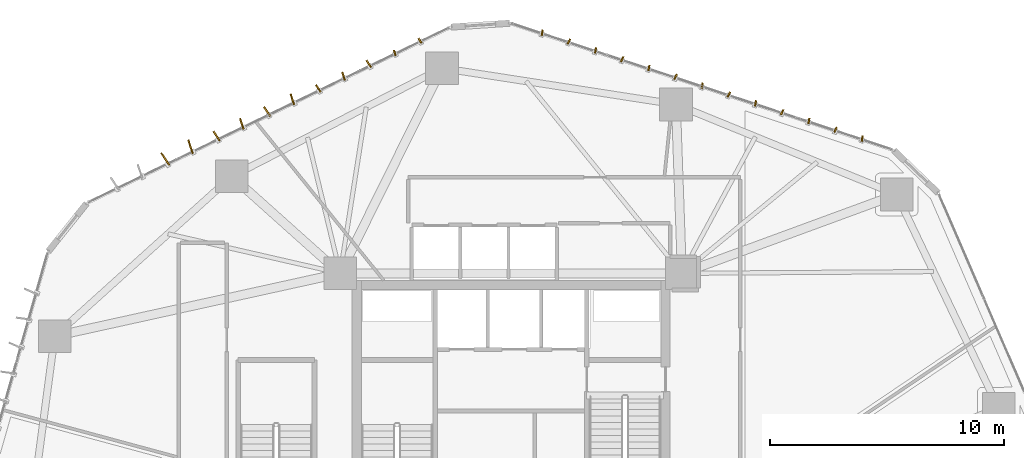
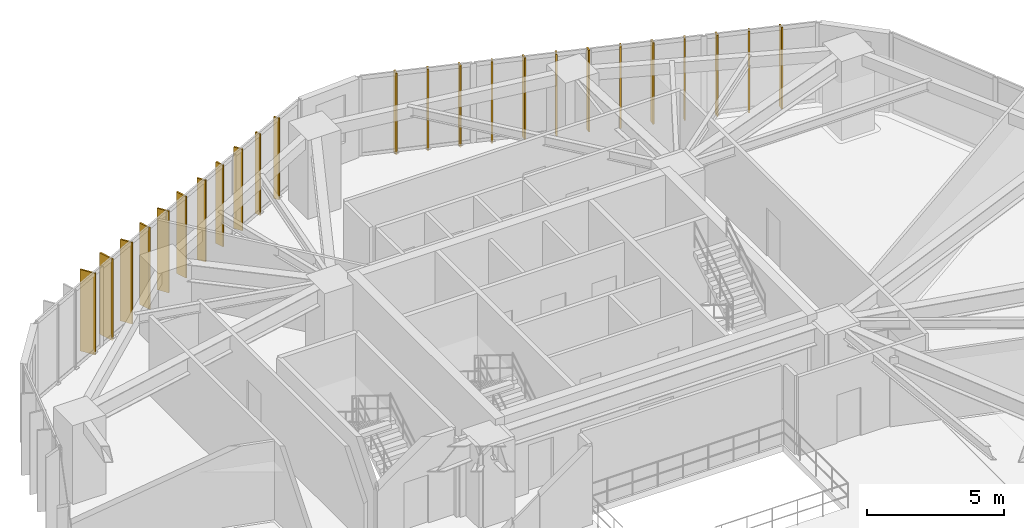
# One storey, part 23 of 23: 24 shading devices.
"""IFC4 building model written with IfcOpenShell, lengths in metres."""

from ifc_helpers import new_model, si_unit, direction, frame, origin, origin_2d, place, context, subcontext, project, spatial, rectangle, extrude, source, transform, mapped, material, layer, layer_set, type_object, type_shapes, element, save


model = new_model("IFC4")

# Units and contexts
model_context = context("Model", 3, precision=1e-05, world=origin(), true_north=direction((0.0, 1.0)))
body_context = subcontext(model_context, "Body", "Model", "MODEL_VIEW")
ifc_project = project(units=[si_unit("LENGTHUNIT", "METRE"), si_unit("AREAUNIT", "SQUARE_METRE"), si_unit("VOLUMEUNIT", "CUBIC_METRE"), si_unit("PLANEANGLEUNIT", "RADIAN"), si_unit("MASSUNIT", "GRAM", prefix="KILO")], contexts=[model_context])

# Site, building, storey
site_placement = place(None, origin())
site = spatial("IfcSite", under=ifc_project, at=site_placement, CompositionType="ELEMENT")
building_placement = place(site_placement, origin())
building = spatial("IfcBuilding", under=site, at=building_placement, Name="Talar Marvaseh", CompositionType="ELEMENT")
storey_placement = place(building_placement, frame((0.0, 0.0, 35.39990234375)))
storey = spatial("IfcBuildingStorey", under=building, at=storey_placement, Name="L08", CompositionType="ELEMENT", Elevation=35.39990234375)

# Shading devices
ifc_material = material(Name="Anodised Champagne Bronze Aluminium", Category="aluminium")
ifc_layer_1 = layer(ifc_material, 0.06494140625)
ifc_layer_set_1 = layer_set([ifc_layer_1], Name="Anodised Champagne Bronze Aluminium")
shading_device_type_1 = type_object("IfcShadingDeviceType", Name="Sawtooth Champagne Bronze Vertical Fin 240", PredefinedType="USERDEFINED", material=ifc_layer_set_1)
shared_shape_1 = source(origin(), body_context, "Body", "SweptSolid", [
    extrude(rectangle(XDim=0.239990234375, YDim=0.06494140625, at=origin_2d()), origin(), (0.0, 0.0, 1.0), 3.639892578125),
])
type_shapes(shading_device_type_1, [shared_shape_1])
for number, where, z_axis, x_axis, name in (
    (1, (21.02978515625, 46.316650390625, -0.11962890625), (0.0, 0.0, 1.0), (-0.306027642189, 0.952022626946, 0.0), "L08 Sawtooth Vertical Solar Fin"),
    (2, (22.10986328125, 46.83935546875, -0.11962890625), (0.0, 0.0, 1.0), (-0.556585649903, 0.83079023485, 0.0), "L08 Sawtooth Vertical Solar Fin"),
    (3, (27.33251953125, 47.181640625, -0.11962890625), (0.0, 0.0, 1.0), (0.179145644884, 0.983822564246, 0.0), "L08 Sawtooth Vertical Solar Fin"),
    (4, (28.4716796875, 46.8046875, -0.11962890625), (0.0, 0.0, 1.0), (0.443384096623, 0.896331714747, 0.0), "L08 Sawtooth Vertical Solar Fin"),
    (5, (29.61083984375, 46.427490234375, -0.11962890625), (0.0, 0.0, 1.0), (0.179145644884, 0.983822564246, 0.0), "L08 Sawtooth Vertical Solar Fin"),
    (6, (30.75, 46.05029296875, -0.11962890625), (0.0, 0.0, 1.0), (0.443384096623, 0.896331714747, 0.0), "L08 Sawtooth Vertical Solar Fin"),
    (7, (31.889404296875, 45.673095703125, -0.11962890625), (0.0, 0.0, 1.0), (0.179145644884, 0.983822564246, 0.0), "L08 Sawtooth Vertical Solar Fin"),
    (8, (33.028564453125, 45.2958984375, -0.11962890625), (0.0, 0.0, 1.0), (0.443384096623, 0.896331714747, 0.0), "L08 Sawtooth Vertical Solar Fin"),
    (9, (34.167724609375, 44.918701171875, -0.11962890625), (0.0, 0.0, 1.0), (0.179145644884, 0.983822564246, 0.0), "L08 Sawtooth Vertical Solar Fin"),
    (10, (35.306884765625, 44.541748046875, -0.11962890625), (0.0, 0.0, 1.0), (0.443384096623, 0.896331714747, 0.0), "L08 Sawtooth Vertical Solar Fin"),
    (11, (36.446044921875, 44.16455078125, -0.11962890625), (0.0, 0.0, 1.0), (0.179145644884, 0.983822564246, 0.0), "L08 Sawtooth Vertical Solar Fin"),
    (12, (37.585205078125, 43.787353515625, -0.11962890625), (0.0, 0.0, 1.0), (0.443384096623, 0.896331714747, 0.0), "L08 Sawtooth Vertical Solar Fin"),
    (13, (38.724609375, 43.41015625, -0.11962890625), (0.0, 0.0, 1.0), (0.179145644884, 0.983822564246, 0.0), "L08 Sawtooth Vertical Solar Fin"),
    (14, (39.86376953125, 43.033203125, -0.11962890625), (0.0, 0.0, 1.0), (0.443384096623, 0.896331714747, 0.0), "L08 Sawtooth Vertical Solar Fin"),
    (15, (41.0029296875, 42.656005859375, -0.11962890625), (0.0, 0.0, 1.0), (0.179145644884, 0.983822564246, 0.0), "L08 Sawtooth Vertical Solar Fin"),
):
    element("IfcShadingDevice", number, at=place(storey_placement, frame(where, z_axis=z_axis, x_axis=x_axis)), inside=storey, type_object=shading_device_type_1, Name=name, ObjectType="FIN", PredefinedType="USERDEFINED", context=body_context, shape_type="MappedRepresentation", body=[
        mapped(shared_shape_1, transform((0.0, 0.0, 0.0), x_axis=(1.0, 0.0, 0.0), y_axis=(0.0, 1.0, 0.0), z_axis=(0.0, 0.0, 1.0), scale=1.0)),
    ])
ifc_layer_2 = layer(ifc_material, 0.06494140625)
ifc_layer_set_2 = layer_set([ifc_layer_2], Name="Anodised Champagne Bronze Aluminium")
shading_device_type_2 = type_object("IfcShadingDeviceType", Name="Sawtooth Champagne Bronze Vertical Fin 360", PredefinedType="USERDEFINED", material=ifc_layer_set_2)
shared_shape_2 = source(origin(), body_context, "Body", "SweptSolid", [
    extrude(rectangle(XDim=0.360107421875, YDim=0.06494140625, at=origin_2d()), origin(), (0.0, 0.0, 1.0), 3.639892578125),
])
type_shapes(shading_device_type_2, [shared_shape_2])
for number, where, z_axis, x_axis, name in (
    (16, (17.762939453125, 44.802978515625, -0.11962890625), (0.0, 0.0, 1.0), (-0.556585649903, 0.83079023485, 0.0), "L08 Sawtooth Vertical Solar Fin"),
    (17, (18.843017578125, 45.325439453125, -0.11962890625), (0.0, 0.0, 1.0), (-0.306027642189, 0.952022626946, 0.0), "L08 Sawtooth Vertical Solar Fin"),
    (18, (19.92333984375, 45.84814453125, -0.11962890625), (0.0, 0.0, 1.0), (-0.556585649903, 0.83079023485, 0.0), "L08 Sawtooth Vertical Solar Fin"),
):
    element("IfcShadingDevice", number, at=place(storey_placement, frame(where, z_axis=z_axis, x_axis=x_axis)), inside=storey, type_object=shading_device_type_2, Name=name, ObjectType="FIN", PredefinedType="USERDEFINED", context=body_context, shape_type="MappedRepresentation", body=[
        mapped(shared_shape_2, transform((0.0, 0.0, 0.0), x_axis=(1.0, 0.0, 0.0), y_axis=(0.0, 1.0, 0.0), z_axis=(0.0, 0.0, 1.0), scale=1.0)),
    ])
ifc_layer_3 = layer(ifc_material, 0.06494140625)
ifc_layer_set_3 = layer_set([ifc_layer_3], Name="Anodised Champagne Bronze Aluminium")
shading_device_type_3 = type_object("IfcShadingDeviceType", Name="Sawtooth Champagne Bronze Vertical Fin 480", PredefinedType="USERDEFINED", material=ifc_layer_set_3)
shared_shape_3 = source(origin(), body_context, "Body", "SweptSolid", [
    extrude(rectangle(XDim=0.47998046875, YDim=0.06494140625, at=origin_2d()), origin(), (0.0, 0.0, 1.0), 3.639892578125),
])
type_shapes(shading_device_type_3, [shared_shape_3])
for number, where, z_axis, x_axis, name in (
    (19, (13.416015625, 42.7666015625, -0.11962890625), (0.0, 0.0, 1.0), (-0.556585649903, 0.83079023485, 0.0), "L08 Sawtooth Vertical Solar Fin"),
    (20, (14.49609375, 43.2890625, -0.11962890625), (0.0, 0.0, 1.0), (-0.306027642189, 0.952022626946, 0.0), "L08 Sawtooth Vertical Solar Fin"),
    (21, (15.576416015625, 43.811767578125, -0.11962890625), (0.0, 0.0, 1.0), (-0.556585649903, 0.83079023485, 0.0), "L08 Sawtooth Vertical Solar Fin"),
    (22, (16.656494140625, 44.334228515625, -0.11962890625), (0.0, 0.0, 1.0), (-0.306027642189, 0.952022626946, 0.0), "L08 Sawtooth Vertical Solar Fin"),
):
    element("IfcShadingDevice", number, at=place(storey_placement, frame(where, z_axis=z_axis, x_axis=x_axis)), inside=storey, type_object=shading_device_type_3, Name=name, ObjectType="FIN", PredefinedType="USERDEFINED", context=body_context, shape_type="MappedRepresentation", body=[
        mapped(shared_shape_3, transform((0.0, 0.0, 0.0), x_axis=(1.0, 0.0, 0.0), y_axis=(0.0, 1.0, 0.0), z_axis=(0.0, 0.0, 1.0), scale=1.0)),
    ])
ifc_layer_4 = layer(ifc_material, 0.06494140625)
ifc_layer_set_4 = layer_set([ifc_layer_4], Name="Anodised Champagne Bronze Aluminium")
shading_device_type_4 = type_object("IfcShadingDeviceType", Name="Sawtooth Champagne Bronze Vertical Fin 620", PredefinedType="USERDEFINED", material=ifc_layer_set_4)
shared_shape_4 = source(origin(), body_context, "Body", "SweptSolid", [
    extrude(rectangle(XDim=0.6201171875, YDim=0.06494140625, at=origin_2d()), origin(), (0.0, 0.0, 1.0), 3.639892578125),
])
type_shapes(shading_device_type_4, [shared_shape_4])
for number, where, z_axis, x_axis, name in (
    (23, (11.224853515625, 41.7841796875, -0.11962890625), (0.0, 0.0, 1.0), (-0.556585649903, 0.83079023485, 0.0), "L08 Sawtooth Vertical Solar Fin"),
    (24, (12.30517578125, 42.306884765625, -0.11962890625), (0.0, 0.0, 1.0), (-0.306027642189, 0.952022626946, 0.0), "L08 Sawtooth Vertical Solar Fin"),
):
    element("IfcShadingDevice", number, at=place(storey_placement, frame(where, z_axis=z_axis, x_axis=x_axis)), inside=storey, type_object=shading_device_type_4, Name=name, ObjectType="FIN", PredefinedType="USERDEFINED", context=body_context, shape_type="MappedRepresentation", body=[
        mapped(shared_shape_4, transform((0.0, 0.0, 0.0), x_axis=(1.0, 0.0, 0.0), y_axis=(0.0, 1.0, 0.0), z_axis=(0.0, 0.0, 1.0), scale=1.0)),
    ])

save(model, "model.ifc")
